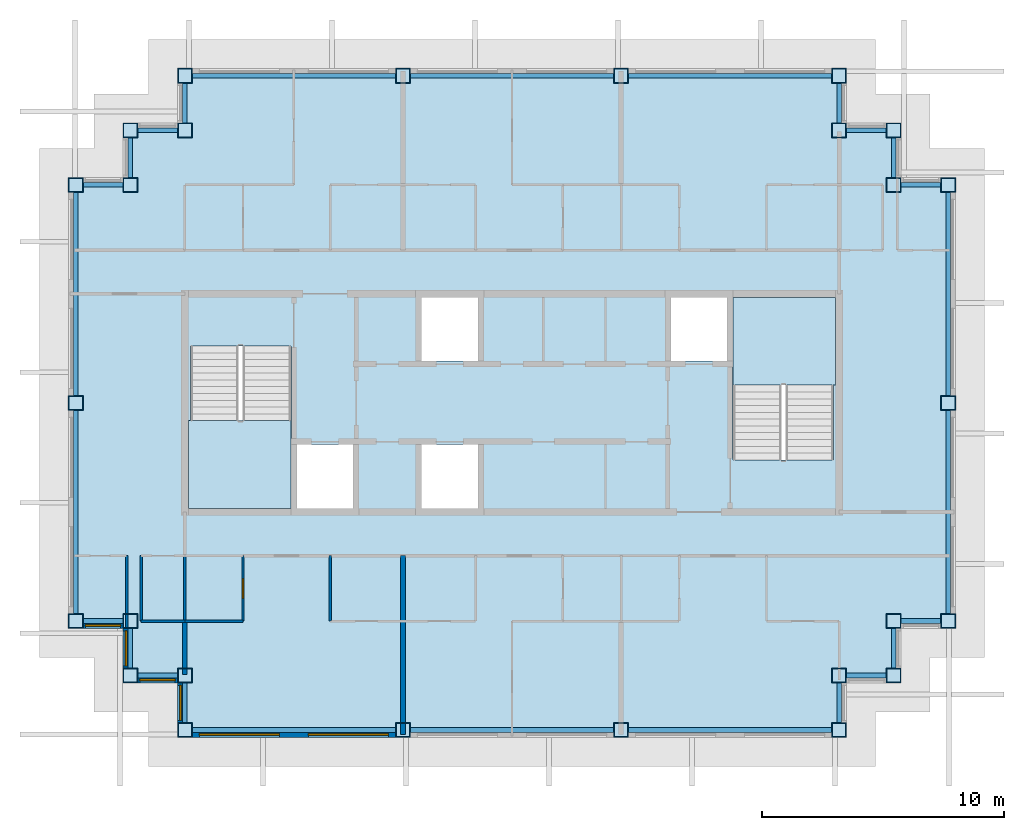
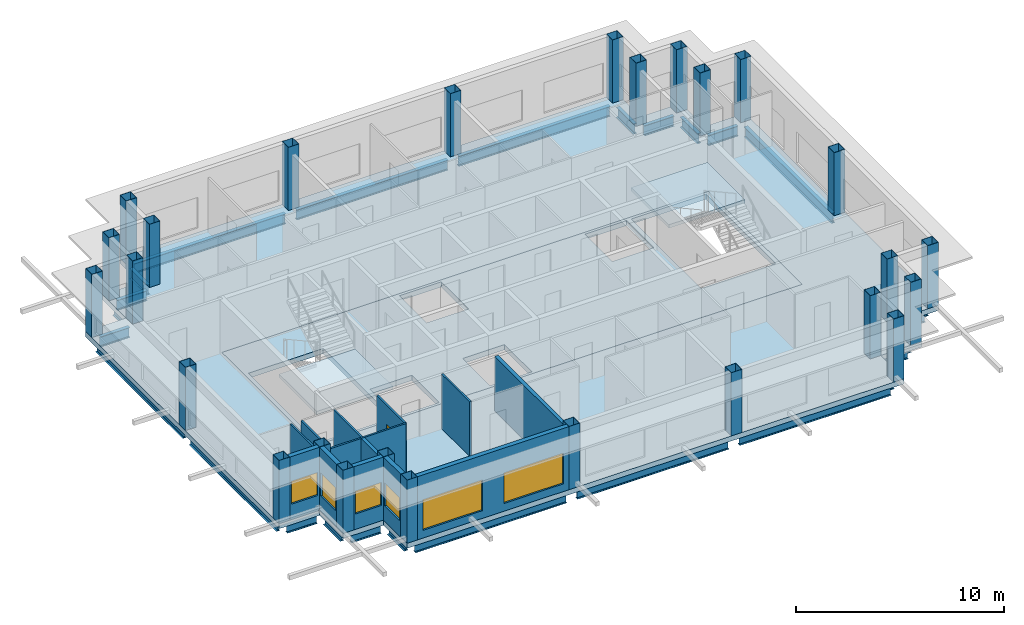
# One storey, part 1 of 11: 26 beams, 26 columns, 14 walls, 6 windows, 4 slabs, 1 door, 7 openings, 2 elements without a shape of their own.
"""IFC4 building model written with IfcOpenShell, lengths in metres."""

from ifc_helpers import new_model, si_unit, direction, frame, frame_2d, origin, origin_2d, place, context, subcontext, project, spatial, polyline, rectangle, hollow_rectangle, i_section, outline, extrude, material, layer, layer_set, material_profile, profile_set, type_object, element, fill, aggregate, save


model = new_model("IFC4")

# Units and contexts
model_context = context("Model", 3, precision=1e-05, world=origin(), true_north=direction((0.0, 1.0)))
body_context = subcontext(model_context, "Body", "Model", "MODEL_VIEW")
ifc_project = project(units=[si_unit("LENGTHUNIT", "METRE"), si_unit("AREAUNIT", "SQUARE_METRE"), si_unit("VOLUMEUNIT", "CUBIC_METRE"), si_unit("PLANEANGLEUNIT", "RADIAN"), si_unit("MASSUNIT", "GRAM", prefix="KILO")], contexts=[model_context])

# Site, building, storey
site_placement = place(None, origin())
site = spatial("IfcSite", under=ifc_project, at=site_placement, CompositionType="ELEMENT")
building_placement = place(site_placement, origin())
building = spatial("IfcBuilding", under=site, at=building_placement, Name="Caravel Reach Hotel and Residences", CompositionType="ELEMENT")
storey_placement = place(building_placement, frame((0.0, 0.0, 301.89990234375)))
storey = spatial("IfcBuildingStorey", under=building, at=storey_placement, Name="L77", CompositionType="ELEMENT", Elevation=301.89990234375)

# Columns
ifc_material_1 = material(Name="Concrete-filled steel tube Q390B with Concrete C60 infill", Category="concrete")
ifc_material_profile_1 = material_profile(ifc_material_1, hollow_rectangle(XDim=0.60009765625, YDim=0.60009765625, WallThickness=0.02001953125, at=origin_2d()), Name="RHS 600x600x20")
ifc_profile_set_1 = profile_set([ifc_material_profile_1], Name="Concrete-filled steel tube Q390B with Concrete C60 infill")
column_type = type_object("IfcColumnType", Name="CFT 600x600 Q390B C60", PredefinedType="COLUMN", material=ifc_profile_set_1)
for number, where, z_axis, x_axis, name in (
    (1, (45.0, 13.5, 0.0), (0.0, 0.0, 1.0), (1.0, 0.0, 0.0), "C8 column"),
    (2, (45.0, 15.75, 0.0), (0.0, 0.0, 1.0), (1.0, 0.0, 0.0), "C8 column"),
    (3, (47.25, 15.75, 0.0), (0.0, 0.0, 1.0), (1.0, 0.0, 0.0), "C8 column"),
    (4, (47.25, 18.0, 0.0), (0.0, 0.0, 1.0), (1.0, 0.0, 0.0), "C8 column"),
    (5, (49.5, 18.0, 0.0), (0.0, 0.0, 1.0), (1.0, 0.0, 0.0), "C8 column"),
    (6, (49.5, 27.0, 0.0), (0.0, 0.0, 1.0), (1.0, 0.0, 0.0), "C8 column"),
    (7, (49.5, 36.0, 0.0), (0.0, 0.0, 1.0), (1.0, 0.0, 0.0), "C8 column"),
    (8, (47.25, 36.0, 0.0), (0.0, 0.0, 1.0), (1.0, 0.0, 0.0), "C8 column"),
    (9, (47.25, 38.25, 0.0), (0.0, 0.0, 1.0), (1.0, 0.0, 0.0), "C8 column"),
    (10, (45.0, 38.25, 0.0), (0.0, 0.0, 1.0), (1.0, 0.0, 0.0), "C8 column"),
    (11, (45.0, 40.5, 0.0), (0.0, 0.0, 1.0), (1.0, 0.0, 0.0), "C8 column"),
    (12, (36.0, 40.5, 0.0), (0.0, 0.0, 1.0), (1.0, 0.0, 0.0), "C8 column"),
    (13, (27.0, 40.5, 0.0), (0.0, 0.0, 1.0), (1.0, 0.0, 0.0), "C8 column"),
    (14, (18.0, 40.5, 0.0), (0.0, 0.0, 1.0), (1.0, 0.0, 0.0), "C8 column"),
    (15, (18.0, 38.25, 0.0), (0.0, 0.0, 1.0), (1.0, 0.0, 0.0), "C8 column"),
    (16, (15.75, 38.25, 0.0), (0.0, 0.0, 1.0), (1.0, 0.0, 0.0), "C8 column"),
    (17, (15.75, 36.0, 0.0), (0.0, 0.0, 1.0), (1.0, 0.0, 0.0), "C8 column"),
    (18, (13.5, 36.0, 0.0), (0.0, 0.0, 1.0), (1.0, 0.0, 0.0), "C8 column"),
    (19, (13.5, 27.0, 0.0), (0.0, 0.0, 1.0), (1.0, 0.0, 0.0), "C8 column"),
    (20, (13.5, 18.0, 0.0), (0.0, 0.0, 1.0), (1.0, 0.0, 0.0), "C8 column"),
    (21, (15.75, 18.0, 0.0), (0.0, 0.0, 1.0), (1.0, 0.0, 0.0), "C8 column"),
    (22, (15.75, 15.75, 0.0), (0.0, 0.0, 1.0), (1.0, 0.0, 0.0), "C8 column"),
    (23, (18.0, 15.75, 0.0), (0.0, 0.0, 1.0), (1.0, 0.0, 0.0), "C8 column"),
    (24, (18.0, 13.5, 0.0), (0.0, 0.0, 1.0), (1.0, 0.0, 0.0), "C8 column"),
    (25, (27.0, 13.5, 0.0), (0.0, 0.0, 1.0), (1.0, 0.0, 0.0), "C8 column"),
    (26, (36.0, 13.5, 0.0), (0.0, 0.0, 1.0), (1.0, 0.0, 0.0), "C8 column"),
):
    element("IfcColumn", number, at=place(storey_placement, frame(where, z_axis=z_axis, x_axis=x_axis)), inside=storey, type_object=column_type, Name=name, PredefinedType="COLUMN", context=body_context, shape_type="SweptSolid", body=[
        extrude(hollow_rectangle(XDim=0.60009765625, YDim=0.60009765625, WallThickness=0.02001953125, at=origin_2d()), origin(), (0.0, 0.0, 1.0), 3.7001953125),
    ])

# Beams
ifc_material_2 = material(Name="Structural steel Q355B", Category="steel")
ifc_material_profile_2 = material_profile(ifc_material_2, i_section(OverallWidth=0.199951171875, OverallDepth=0.60009765625, WebThickness=0.010986328125, FlangeThickness=0.01708984375, FilletRadius=0.012939453125, at=origin_2d()), Name="HN 600x200x11x17")
ifc_profile_set_2 = profile_set([ifc_material_profile_2], Name="Structural steel Q355B")
beam_type = type_object("IfcBeamType", Name="Spandrel beam HN 600x200x11x17", PredefinedType="SPANDREL", material=ifc_profile_set_2)
for number, where, z_axis, x_axis, name in (
    (27, (45.0, 13.800048828125, -0.599853515625), (0.0, 1.0, 0.0), (-1.0, 0.0, 0.0), "SP1 HN 600x200x11x17"),
    (28, (45.300048828125, 15.75, -0.599853515625), (1.0, 0.0, 0.0), (0.0, 1.0, 0.0), "SP1 HN 600x200x11x17"),
    (29, (47.25, 16.050048828125, -0.599853515625), (0.0, 1.0, 0.0), (-1.0, 0.0, 0.0), "SP1 HN 600x200x11x17"),
    (30, (47.550048828125, 18.0, -0.599853515625), (1.0, 0.0, 0.0), (0.0, 1.0, 0.0), "SP1 HN 600x200x11x17"),
):
    element("IfcBeam", number, at=place(storey_placement, frame(where, z_axis=z_axis, x_axis=x_axis)), inside=storey, type_object=beam_type, Name=name, PredefinedType="SPANDREL", context=body_context, shape_type="SweptSolid", body=[
        extrude(i_section(OverallWidth=0.199951171875, OverallDepth=0.60009765625, WebThickness=0.010986328125, FlangeThickness=0.01708984375, FilletRadius=0.012939453125, at=origin_2d()), origin(), (0.0, 0.0, 1.0), 1.64990234375),
    ])
for number, where, z_axis, x_axis, name in (
    (31, (49.5, 18.300048828125, -0.599853515625), (0.0, 1.0, 0.0), (-1.0, 0.0, 0.0), "SP1 HN 600x200x11x17"),
    (32, (49.5, 27.300048828125, -0.599853515625), (0.0, 1.0, 0.0), (-1.0, 0.0, 0.0), "SP1 HN 600x200x11x17"),
):
    element("IfcBeam", number, at=place(storey_placement, frame(where, z_axis=z_axis, x_axis=x_axis)), inside=storey, type_object=beam_type, Name=name, PredefinedType="SPANDREL", context=body_context, shape_type="SweptSolid", body=[
        extrude(i_section(OverallWidth=0.199951171875, OverallDepth=0.60009765625, WebThickness=0.010986328125, FlangeThickness=0.01708984375, FilletRadius=0.012939453125, at=origin_2d()), origin(), (0.0, 0.0, 1.0), 8.39990234375),
    ])
for number, where, z_axis, x_axis, name in (
    (33, (49.199951171875, 36.0, -0.599853515625), (-1.0, 0.0, 0.0), (0.0, -1.0, 0.0), "SP1 HN 600x200x11x17"),
    (34, (47.25, 36.300048828125, -0.599853515625), (0.0, 1.0, 0.0), (-1.0, 0.0, 0.0), "SP1 HN 600x200x11x17"),
    (35, (46.949951171875, 38.25, -0.599853515625), (-1.0, 0.0, 0.0), (0.0, -1.0, 0.0), "SP1 HN 600x200x11x17"),
    (36, (45.0, 38.550048828125, -0.599853515625), (0.0, 1.0, 0.0), (-1.0, 0.0, 0.0), "SP1 HN 600x200x11x17"),
):
    element("IfcBeam", number, at=place(storey_placement, frame(where, z_axis=z_axis, x_axis=x_axis)), inside=storey, type_object=beam_type, Name=name, PredefinedType="SPANDREL", context=body_context, shape_type="SweptSolid", body=[
        extrude(i_section(OverallWidth=0.199951171875, OverallDepth=0.60009765625, WebThickness=0.010986328125, FlangeThickness=0.01708984375, FilletRadius=0.012939453125, at=origin_2d()), origin(), (0.0, 0.0, 1.0), 1.64990234375),
    ])
for number, where, z_axis, x_axis, name in (
    (37, (44.699951171875, 40.5, -0.599853515625), (-1.0, 0.0, 0.0), (0.0, -1.0, 0.0), "SP1 HN 600x200x11x17"),
    (38, (35.699951171875, 40.5, -0.599853515625), (-1.0, 0.0, 0.0), (0.0, -1.0, 0.0), "SP1 HN 600x200x11x17"),
    (39, (26.699951171875, 40.5, -0.599853515625), (-1.0, 0.0, 0.0), (0.0, -1.0, 0.0), "SP1 HN 600x200x11x17"),
):
    element("IfcBeam", number, at=place(storey_placement, frame(where, z_axis=z_axis, x_axis=x_axis)), inside=storey, type_object=beam_type, Name=name, PredefinedType="SPANDREL", context=body_context, shape_type="SweptSolid", body=[
        extrude(i_section(OverallWidth=0.199951171875, OverallDepth=0.60009765625, WebThickness=0.010986328125, FlangeThickness=0.01708984375, FilletRadius=0.012939453125, at=origin_2d()), origin(), (0.0, 0.0, 1.0), 8.39990234375),
    ])
for number, where, z_axis, x_axis, name in (
    (40, (18.0, 40.199951171875, -0.599853515625), (0.0, -1.0, 0.0), (1.0, 0.0, 0.0), "SP1 HN 600x200x11x17"),
    (41, (17.699951171875, 38.25, -0.599853515625), (-1.0, 0.0, 0.0), (0.0, -1.0, 0.0), "SP1 HN 600x200x11x17"),
    (42, (15.75, 37.949951171875, -0.599853515625), (0.0, -1.0, 0.0), (1.0, 0.0, 0.0), "SP1 HN 600x200x11x17"),
    (43, (15.449951171875, 36.0, -0.599853515625), (-1.0, 0.0, 0.0), (0.0, -1.0, 0.0), "SP1 HN 600x200x11x17"),
):
    element("IfcBeam", number, at=place(storey_placement, frame(where, z_axis=z_axis, x_axis=x_axis)), inside=storey, type_object=beam_type, Name=name, PredefinedType="SPANDREL", context=body_context, shape_type="SweptSolid", body=[
        extrude(i_section(OverallWidth=0.199951171875, OverallDepth=0.60009765625, WebThickness=0.010986328125, FlangeThickness=0.01708984375, FilletRadius=0.012939453125, at=origin_2d()), origin(), (0.0, 0.0, 1.0), 1.64990234375),
    ])
for number, where, z_axis, x_axis, name in (
    (44, (13.5, 35.699951171875, -0.599853515625), (0.0, -1.0, 0.0), (1.0, 0.0, 0.0), "SP1 HN 600x200x11x17"),
    (45, (13.5, 26.699951171875, -0.599853515625), (0.0, -1.0, 0.0), (1.0, 0.0, 0.0), "SP1 HN 600x200x11x17"),
):
    element("IfcBeam", number, at=place(storey_placement, frame(where, z_axis=z_axis, x_axis=x_axis)), inside=storey, type_object=beam_type, Name=name, PredefinedType="SPANDREL", context=body_context, shape_type="SweptSolid", body=[
        extrude(i_section(OverallWidth=0.199951171875, OverallDepth=0.60009765625, WebThickness=0.010986328125, FlangeThickness=0.01708984375, FilletRadius=0.012939453125, at=origin_2d()), origin(), (0.0, 0.0, 1.0), 8.39990234375),
    ])
for number, where, z_axis, x_axis, name in (
    (46, (13.800048828125, 18.0, -0.599853515625), (1.0, 0.0, 0.0), (0.0, 1.0, 0.0), "SP1 HN 600x200x11x17"),
    (47, (15.75, 17.699951171875, -0.599853515625), (0.0, -1.0, 0.0), (1.0, 0.0, 0.0), "SP1 HN 600x200x11x17"),
    (48, (16.050048828125, 15.75, -0.599853515625), (1.0, 0.0, 0.0), (0.0, 1.0, 0.0), "SP1 HN 600x200x11x17"),
    (49, (18.0, 15.449951171875, -0.599853515625), (0.0, -1.0, 0.0), (1.0, 0.0, 0.0), "SP1 HN 600x200x11x17"),
):
    element("IfcBeam", number, at=place(storey_placement, frame(where, z_axis=z_axis, x_axis=x_axis)), inside=storey, type_object=beam_type, Name=name, PredefinedType="SPANDREL", context=body_context, shape_type="SweptSolid", body=[
        extrude(i_section(OverallWidth=0.199951171875, OverallDepth=0.60009765625, WebThickness=0.010986328125, FlangeThickness=0.01708984375, FilletRadius=0.012939453125, at=origin_2d()), origin(), (0.0, 0.0, 1.0), 1.64990234375),
    ])
for number, where, z_axis, x_axis, name in (
    (50, (18.300048828125, 13.5, -0.599853515625), (1.0, 0.0, 0.0), (0.0, 1.0, 0.0), "SP1 HN 600x200x11x17"),
    (51, (27.300048828125, 13.5, -0.599853515625), (1.0, 0.0, 0.0), (0.0, 1.0, 0.0), "SP1 HN 600x200x11x17"),
    (52, (36.300048828125, 13.5, -0.599853515625), (1.0, 0.0, 0.0), (0.0, 1.0, 0.0), "SP1 HN 600x200x11x17"),
):
    element("IfcBeam", number, at=place(storey_placement, frame(where, z_axis=z_axis, x_axis=x_axis)), inside=storey, type_object=beam_type, Name=name, PredefinedType="SPANDREL", context=body_context, shape_type="SweptSolid", body=[
        extrude(i_section(OverallWidth=0.199951171875, OverallDepth=0.60009765625, WebThickness=0.010986328125, FlangeThickness=0.01708984375, FilletRadius=0.012939453125, at=origin_2d()), origin(), (0.0, 0.0, 1.0), 8.39990234375),
    ])

# Slab
ifc_material_3 = material(Name="Concrete C40", Category="concrete")
ifc_layer_1 = layer(ifc_material_3, 0.300048828125)
ifc_layer_set_1 = layer_set([ifc_layer_1], Name="Core floor slab 300 mm")
slab_type_1 = type_object("IfcSlabType", Name="Core floor slab 300 mm", PredefinedType="FLOOR", material=ifc_layer_set_1)
slab_1_placement = place(storey_placement, frame((0.0, 0.0, -0.2998046875)))
element("IfcSlab", 53, at=slab_1_placement, inside=storey, type_object=slab_type_1, Name="L77 core floor", PredefinedType="FLOOR", context=body_context, shape_type="SweptSolid", body=[
    extrude(outline(polyline([(18.0, 31.5), (45.0, 31.5), (45.0, 22.5), (18.0, 22.5), (18.0, 31.5)]), holes=[polyline([(22.625, 22.64990234375), (24.9462890625, 22.64990234375), (24.9462890625, 25.27490234375), (22.625, 25.27490234375), (22.625, 22.64990234375)]), polyline([(27.767822265625, 25.27490234375), (27.767822265625, 22.64990234375), (30.08935546875, 22.64990234375), (30.08935546875, 25.27490234375), (27.767822265625, 25.27490234375)]), polyline([(22.375, 22.64990234375), (22.375, 29.35009765625), (18.22509765625, 29.35009765625), (18.22509765625, 22.64990234375), (22.375, 22.64990234375)]), polyline([(40.625, 24.64990234375), (44.77490234375, 24.64990234375), (44.77490234375, 31.35009765625), (40.625, 31.35009765625), (40.625, 24.64990234375)]), polyline([(27.767822265625, 31.35009765625), (27.767822265625, 28.72509765625), (30.08935546875, 28.72509765625), (30.08935546875, 31.35009765625), (27.767822265625, 31.35009765625)]), polyline([(38.0537109375, 31.35009765625), (38.0537109375, 28.72509765625), (40.375, 28.72509765625), (40.375, 31.35009765625), (38.0537109375, 31.35009765625)])]), origin(), (0.0, 0.0, 1.0), 0.2998046875),
])

# Stair, slab
ifc_material_4 = material(Name="Concrete C40", Category="concrete")
stair_type = type_object("IfcStairType", Name="Core stair", PredefinedType="HALF_TURN_STAIR", material=ifc_material_4)
stair_1_placement = place(storey_placement, origin())
stair_1 = element("IfcStair", 54, at=stair_1_placement, inside=storey, type_object=stair_type, Name="L77 Exit stair A", PredefinedType="HALF_TURN_STAIR")
ifc_material_5 = material(Name="Concrete C40", Category="concrete")
ifc_layer_2 = layer(ifc_material_5, 0.199951171875)
ifc_layer_set_2 = layer_set([ifc_layer_2], Name="Core stair landing")
slab_type_2 = type_object("IfcSlabType", Name="Core stair landing", PredefinedType="LANDING", material=ifc_layer_set_2)
slab_2_placement = place(storey_placement, frame((0.0, 0.0, 1.650146484375)))
slab_2 = element("IfcSlab", 55, at=slab_2_placement, type_object=slab_type_2, Name="ST-A landing 1", PredefinedType="LANDING", context=body_context, shape_type="SweptSolid", body=[
    extrude(outline(polyline([(18.14990234375, 26.27001953125), (18.14990234375, 22.64990234375), (22.375, 22.64990234375), (22.375, 26.27001953125), (18.14990234375, 26.27001953125)])), origin(), (0.0, 0.0, 1.0), 0.199951171875),
])
aggregate(stair_1, [slab_2])

stair_2_placement = place(storey_placement, origin())
stair_2 = element("IfcStair", 56, at=stair_2_placement, inside=storey, type_object=stair_type, Name="L77 Exit stair B", PredefinedType="HALF_TURN_STAIR")
slab_3_placement = place(storey_placement, frame((0.0, 0.0, 1.650146484375)))
slab_3 = element("IfcSlab", 57, at=slab_3_placement, type_object=slab_type_2, Name="ST-B landing 1", PredefinedType="LANDING", context=body_context, shape_type="SweptSolid", body=[
    extrude(outline(polyline([(44.85009765625, 27.72998046875), (44.85009765625, 31.35009765625), (40.625, 31.35009765625), (40.625, 27.72998046875), (44.85009765625, 27.72998046875)])), origin(), (0.0, 0.0, 1.0), 0.199951171875),
])
aggregate(stair_2, [slab_3])

# Slab
ifc_material_6 = material(Name="Concrete C40 post-tensioned", Category="concrete")
ifc_layer_3 = layer(ifc_material_6, 0.300048828125)
ifc_layer_set_3 = layer_set([ifc_layer_3], Name="Floor slab 300")
slab_type_3 = type_object("IfcSlabType", Name="Floor slab 300", PredefinedType="FLOOR", material=ifc_layer_set_3)
slab_4_placement = place(storey_placement, frame((0.0, 0.0, -0.2998046875)))
element("IfcSlab", 58, at=slab_4_placement, inside=storey, type_object=slab_type_3, Name="S2 slab L77", PredefinedType="FLOOR", context=body_context, shape_type="SweptSolid", body=[
    extrude(outline(polyline([(17.699951171875, 15.449951171875), (15.449951171875, 15.449951171875), (15.449951171875, 17.699951171875), (13.199951171875, 17.699951171875), (13.199951171875, 36.300048828125), (15.449951171875, 36.300048828125), (15.449951171875, 38.550048828125), (17.699951171875, 38.550048828125), (17.699951171875, 40.800048828125), (45.300048828125, 40.800048828125), (45.300048828125, 38.550048828125), (47.550048828125, 38.550048828125), (47.550048828125, 36.300048828125), (49.800048828125, 36.300048828125), (49.800048828125, 17.699951171875), (47.550048828125, 17.699951171875), (47.550048828125, 15.449951171875), (45.300048828125, 15.449951171875), (45.300048828125, 13.199951171875), (17.699951171875, 13.199951171875), (17.699951171875, 15.449951171875)]), holes=[polyline([(45.0, 31.5), (18.0, 31.5), (18.0, 22.5), (45.0, 22.5), (45.0, 31.5)])]), origin(), (0.0, 0.0, 1.0), 0.2998046875),
])

# Walls
ifc_material_7 = material(Name="Gypsum board on steel stud", Category="steel")
ifc_layer_4 = layer(ifc_material_7, 0.10009765625)
ifc_layer_set_4 = layer_set([ifc_layer_4], Name="Bathroom pod wall 100 mm")
wall_type_1 = type_object("IfcWallType", Name="Bathroom pod wall 100 mm", PredefinedType="PARTITIONING", material=ifc_layer_set_4)
wall_1_placement = place(storey_placement, frame((18.0, 18.0, 0.0), z_axis=(0.0, 0.0, 1.0), x_axis=(1.0, 0.0, 0.0)))
element("IfcWall", 59, at=wall_1_placement, inside=storey, type_object=wall_type_1, Name="L77 wall w053", PredefinedType="PARTITIONING", context=body_context, shape_type="SweptSolid", body=[
    extrude(rectangle(XDim=2.39990234375, YDim=0.10009765625, at=frame_2d((1.199951171875, 0.0))), origin(), (0.0, 0.0, 1.0), 3.2001953125),
])
wall_2_placement = place(storey_placement, frame((15.60009765625, 17.699951171875, 0.0), z_axis=(0.0, 0.0, 1.0), x_axis=(0.0, 1.0, 0.0)))
element("IfcWall", 60, at=wall_2_placement, inside=storey, type_object=wall_type_1, Name="L77 wall w067", PredefinedType="PARTITIONING", context=body_context, shape_type="SweptSolid", body=[
    extrude(rectangle(XDim=3.0, YDim=0.10009765625, at=frame_2d((1.5, 0.0))), origin(), (0.0, 0.0, 1.0), 3.2001953125),
])
wall_3_placement = place(storey_placement, frame((18.0, 18.0, 0.0), z_axis=(0.0, 0.0, 1.0), x_axis=(0.0, 1.0, 0.0)))
element("IfcWall", 61, at=wall_3_placement, inside=storey, type_object=wall_type_1, Name="L77 wall w069", PredefinedType="PARTITIONING", context=body_context, shape_type="SweptSolid", body=[
    extrude(rectangle(XDim=2.699951171875, YDim=0.10009765625, at=frame_2d((1.35009765625, 0.0))), origin(), (0.0, 0.0, 1.0), 3.2001953125),
])

# Wall, opening, door
wall_4_placement = place(storey_placement, frame((20.39990234375, 18.0, 0.0), z_axis=(0.0, 0.0, 1.0), x_axis=(0.0, 1.0, 0.0)))
wall_4 = element("IfcWall", 62, at=wall_4_placement, inside=storey, type_object=wall_type_1, Name="L77 wall w071", PredefinedType="PARTITIONING", context=body_context, shape_type="SweptSolid", body=[
    extrude(rectangle(XDim=2.699951171875, YDim=0.10009765625, at=frame_2d((1.35009765625, 0.0))), origin(), (0.0, 0.0, 1.0), 3.2001953125),
])
opening_1_placement = place(wall_4_placement, frame((0.949951171875, 0.0, 0.0)))
opening_1 = element("IfcOpeningElement", 63, at=opening_1_placement, cuts=wall_4, Name="Opening D77-030", PredefinedType="OPENING", context=body_context, shape_type="SweptSolid", body=[
    extrude(rectangle(XDim=0.800048828125, YDim=2.10009765625, at=frame_2d((0.39990234375, 1.050048828125))), frame((0.0, 0.06005859375, 0.0), z_axis=(0.0, -1.0, 0.0), x_axis=(1.0, 0.0, 0.0)), (0.0, 0.0, 1.0), 0.1201171875),
])
ifc_material_8 = material(Name="Timber and steel door leaf", Category="steel")
door_type = type_object("IfcDoorType", Name="Bathroom door 800 x 2100", OperationType="SINGLE_SWING_LEFT", PredefinedType="DOOR", material=ifc_material_8)
door_placement = place(opening_1_placement, origin())
door = element("IfcDoor", 64, at=door_placement, inside=storey, type_object=door_type, Name="door D77-030", OperationType="SINGLE_SWING_RIGHT", OverallHeight=2.10009765625, OverallWidth=0.800048828125, PredefinedType="DOOR", context=body_context, shape_type="SweptSolid", body=[
    extrude(rectangle(XDim=0.800048828125, YDim=2.10009765625, at=frame_2d((0.39990234375, 1.050048828125))), frame((0.0, 0.02490234375, 0.0), z_axis=(0.0, -1.0, 0.0), x_axis=(1.0, 0.0, 0.0)), (0.0, 0.0, 1.0), 0.050048828125),
])
fill(opening_1, door)

# Wall, opening, window
ifc_material_9 = material(Name="Insulated rainscreen wall, aluminium cladding", Category="aluminium")
ifc_layer_5 = layer(ifc_material_9, 0.25)
ifc_layer_set_5 = layer_set([ifc_layer_5], Name="EW1 Tower rainscreen wall")
wall_type_2 = type_object("IfcWallType", Name="EW1 Tower rainscreen wall", PredefinedType="SOLIDWALL", material=ifc_layer_set_5)
wall_5_placement = place(storey_placement, frame((13.800048828125, 17.824951171875, 0.0), z_axis=(0.0, 0.0, 1.0), x_axis=(1.0, 0.0, 0.0)))
wall_5 = element("IfcWall", 65, at=wall_5_placement, inside=storey, type_object=wall_type_2, Name="External wall L77 S16.1", PredefinedType="SOLIDWALL", context=body_context, shape_type="SweptSolid", body=[
    extrude(rectangle(XDim=1.64990234375, YDim=0.25, at=frame_2d((0.824951171875, 0.0))), origin(), (0.0, 0.0, 1.0), 3.7001953125),
])
opening_2_placement = place(wall_5_placement, frame((0.10009765625, 0.0, 0.89990234375)))
opening_2 = element("IfcOpeningElement", 66, at=opening_2_placement, cuts=wall_5, Name="Opening WN27", PredefinedType="OPENING", context=body_context, shape_type="SweptSolid", body=[
    extrude(rectangle(XDim=1.449951171875, YDim=1.35009765625, at=frame_2d((0.72509765625, 0.675048828125))), frame((0.0, 0.135009765625, 0.0), z_axis=(0.0, -1.0, 0.0), x_axis=(1.0, 0.0, 0.0)), (0.0, 0.0, 1.0), 0.27001953125),
])
ifc_material_10 = material(Name="Dark low-e glazing in black aluminium frame", Category="aluminium")
window_type_1 = type_object("IfcWindowType", Name="Residence bedroom window 1450 x 1350", PartitioningType="SINGLE_PANEL", PredefinedType="WINDOW", material=ifc_material_10)
window_1_placement = place(opening_2_placement, origin())
window_1 = element("IfcWindow", 67, at=window_1_placement, inside=storey, type_object=window_type_1, Name="Window L77 S16.1.1", OverallHeight=1.35009765625, OverallWidth=1.449951171875, PartitioningType="SINGLE_PANEL", PredefinedType="WINDOW", context=body_context, shape_type="SweptSolid", body=[
    extrude(rectangle(XDim=1.449951171875, YDim=1.35009765625, at=frame_2d((0.72509765625, 0.675048828125))), frame((0.0, 0.030029296875, 0.0), z_axis=(0.0, -1.0, 0.0), x_axis=(1.0, 0.0, 0.0)), (0.0, 0.0, 1.0), 0.06005859375),
])
fill(opening_2, window_1)

wall_6_placement = place(storey_placement, frame((15.574951171875, 17.699951171875, 0.0), z_axis=(0.0, 0.0, 1.0), x_axis=(0.0, -1.0, 0.0)))
wall_6 = element("IfcWall", 68, at=wall_6_placement, inside=storey, type_object=wall_type_2, Name="External wall L77 W17.1", PredefinedType="SOLIDWALL", context=body_context, shape_type="SweptSolid", body=[
    extrude(rectangle(XDim=1.64990234375, YDim=0.25, at=frame_2d((0.824951171875, 0.0))), origin(), (0.0, 0.0, 1.0), 3.7001953125),
])
opening_3_placement = place(wall_6_placement, frame((0.10009765625, 0.0, 0.89990234375)))
opening_3 = element("IfcOpeningElement", 69, at=opening_3_placement, cuts=wall_6, Name="Opening WN27", PredefinedType="OPENING", context=body_context, shape_type="SweptSolid", body=[
    extrude(rectangle(XDim=1.449951171875, YDim=1.35009765625, at=frame_2d((0.72509765625, 0.675048828125))), frame((0.0, 0.135009765625, 0.0), z_axis=(0.0, -1.0, 0.0), x_axis=(1.0, 0.0, 0.0)), (0.0, 0.0, 1.0), 0.27001953125),
])
window_2_placement = place(opening_3_placement, origin())
window_2 = element("IfcWindow", 70, at=window_2_placement, inside=storey, type_object=window_type_1, Name="Window L77 W17.1.1", OverallHeight=1.35009765625, OverallWidth=1.449951171875, PartitioningType="SINGLE_PANEL", PredefinedType="WINDOW", context=body_context, shape_type="SweptSolid", body=[
    extrude(rectangle(XDim=1.449951171875, YDim=1.35009765625, at=frame_2d((0.72509765625, 0.675048828125))), frame((0.0, 0.030029296875, 0.0), z_axis=(0.0, -1.0, 0.0), x_axis=(1.0, 0.0, 0.0)), (0.0, 0.0, 1.0), 0.06005859375),
])
fill(opening_3, window_2)

wall_7_placement = place(storey_placement, frame((16.050048828125, 15.574951171875, 0.0), z_axis=(0.0, 0.0, 1.0), x_axis=(1.0, 0.0, 0.0)))
wall_7 = element("IfcWall", 71, at=wall_7_placement, inside=storey, type_object=wall_type_2, Name="External wall L77 S18.1", PredefinedType="SOLIDWALL", context=body_context, shape_type="SweptSolid", body=[
    extrude(rectangle(XDim=1.64990234375, YDim=0.25, at=frame_2d((0.824951171875, 0.0))), origin(), (0.0, 0.0, 1.0), 3.7001953125),
])
opening_4_placement = place(wall_7_placement, frame((0.10009765625, 0.0, 0.89990234375)))
opening_4 = element("IfcOpeningElement", 72, at=opening_4_placement, cuts=wall_7, Name="Opening WN27", PredefinedType="OPENING", context=body_context, shape_type="SweptSolid", body=[
    extrude(rectangle(XDim=1.449951171875, YDim=1.35009765625, at=frame_2d((0.72509765625, 0.675048828125))), frame((0.0, 0.135009765625, 0.0), z_axis=(0.0, -1.0, 0.0), x_axis=(1.0, 0.0, 0.0)), (0.0, 0.0, 1.0), 0.27001953125),
])
window_3_placement = place(opening_4_placement, origin())
window_3 = element("IfcWindow", 73, at=window_3_placement, inside=storey, type_object=window_type_1, Name="Window L77 S18.1.1", OverallHeight=1.35009765625, OverallWidth=1.449951171875, PartitioningType="SINGLE_PANEL", PredefinedType="WINDOW", context=body_context, shape_type="SweptSolid", body=[
    extrude(rectangle(XDim=1.449951171875, YDim=1.35009765625, at=frame_2d((0.72509765625, 0.675048828125))), frame((0.0, 0.030029296875, 0.0), z_axis=(0.0, -1.0, 0.0), x_axis=(1.0, 0.0, 0.0)), (0.0, 0.0, 1.0), 0.06005859375),
])
fill(opening_4, window_3)

wall_8_placement = place(storey_placement, frame((17.824951171875, 15.449951171875, 0.0), z_axis=(0.0, 0.0, 1.0), x_axis=(0.0, -1.0, 0.0)))
wall_8 = element("IfcWall", 74, at=wall_8_placement, inside=storey, type_object=wall_type_2, Name="External wall L77 W19.1", PredefinedType="SOLIDWALL", context=body_context, shape_type="SweptSolid", body=[
    extrude(rectangle(XDim=1.64990234375, YDim=0.25, at=frame_2d((0.824951171875, 0.0))), origin(), (0.0, 0.0, 1.0), 3.7001953125),
])
opening_5_placement = place(wall_8_placement, frame((0.10009765625, 0.0, 0.89990234375)))
opening_5 = element("IfcOpeningElement", 75, at=opening_5_placement, cuts=wall_8, Name="Opening WN27", PredefinedType="OPENING", context=body_context, shape_type="SweptSolid", body=[
    extrude(rectangle(XDim=1.449951171875, YDim=1.35009765625, at=frame_2d((0.72509765625, 0.675048828125))), frame((0.0, 0.135009765625, 0.0), z_axis=(0.0, -1.0, 0.0), x_axis=(1.0, 0.0, 0.0)), (0.0, 0.0, 1.0), 0.27001953125),
])
window_4_placement = place(opening_5_placement, origin())
window_4 = element("IfcWindow", 76, at=window_4_placement, inside=storey, type_object=window_type_1, Name="Window L77 W19.1.1", OverallHeight=1.35009765625, OverallWidth=1.449951171875, PartitioningType="SINGLE_PANEL", PredefinedType="WINDOW", context=body_context, shape_type="SweptSolid", body=[
    extrude(rectangle(XDim=1.449951171875, YDim=1.35009765625, at=frame_2d((0.72509765625, 0.675048828125))), frame((0.0, 0.030029296875, 0.0), z_axis=(0.0, -1.0, 0.0), x_axis=(1.0, 0.0, 0.0)), (0.0, 0.0, 1.0), 0.06005859375),
])
fill(opening_5, window_4)

# Wall, openings, windows
wall_9_placement = place(storey_placement, frame((18.300048828125, 13.324951171875, 0.0), z_axis=(0.0, 0.0, 1.0), x_axis=(1.0, 0.0, 0.0)))
wall_9 = element("IfcWall", 77, at=wall_9_placement, inside=storey, type_object=wall_type_2, Name="External wall L77 S20.1", PredefinedType="SOLIDWALL", context=body_context, shape_type="SweptSolid", body=[
    extrude(rectangle(XDim=8.39990234375, YDim=0.25, at=frame_2d((4.199951171875, 0.0))), origin(), (0.0, 0.0, 1.0), 3.7001953125),
])
opening_6_placement = place(wall_9_placement, frame((0.300048828125, 0.0, 0.449951171875)))
opening_6 = element("IfcOpeningElement", 78, at=opening_6_placement, cuts=wall_9, Name="Opening WN28", PredefinedType="OPENING", context=body_context, shape_type="SweptSolid", body=[
    extrude(rectangle(XDim=3.300048828125, YDim=1.800048828125, at=frame_2d((1.64990234375, 0.89990234375))), frame((0.0, 0.135009765625, 0.0), z_axis=(0.0, -1.0, 0.0), x_axis=(1.0, 0.0, 0.0)), (0.0, 0.0, 1.0), 0.27001953125),
])
opening_7_placement = place(wall_9_placement, frame((4.800048828125, 0.0, 0.449951171875)))
opening_7 = element("IfcOpeningElement", 79, at=opening_7_placement, cuts=wall_9, Name="Opening WN28", PredefinedType="OPENING", context=body_context, shape_type="SweptSolid", body=[
    extrude(rectangle(XDim=3.300048828125, YDim=1.800048828125, at=frame_2d((1.64990234375, 0.89990234375))), frame((0.0, 0.135009765625, 0.0), z_axis=(0.0, -1.0, 0.0), x_axis=(1.0, 0.0, 0.0)), (0.0, 0.0, 1.0), 0.27001953125),
])
ifc_material_11 = material(Name="Dark low-e glazing in black aluminium frame", Category="aluminium")
window_type_2 = type_object("IfcWindowType", Name="Residence living window 3300 x 1800", PartitioningType="SINGLE_PANEL", PredefinedType="WINDOW", material=ifc_material_11)
window_5_placement = place(opening_6_placement, origin())
window_5 = element("IfcWindow", 80, at=window_5_placement, inside=storey, type_object=window_type_2, Name="Window L77 S20.1.1", OverallHeight=1.800048828125, OverallWidth=3.300048828125, PartitioningType="SINGLE_PANEL", PredefinedType="WINDOW", context=body_context, shape_type="SweptSolid", body=[
    extrude(rectangle(XDim=3.300048828125, YDim=1.800048828125, at=frame_2d((1.64990234375, 0.89990234375))), frame((0.0, 0.030029296875, 0.0), z_axis=(0.0, -1.0, 0.0), x_axis=(1.0, 0.0, 0.0)), (0.0, 0.0, 1.0), 0.06005859375),
])
fill(opening_6, window_5)
window_6_placement = place(opening_7_placement, origin())
window_6 = element("IfcWindow", 81, at=window_6_placement, inside=storey, type_object=window_type_2, Name="Window L77 S20.1.2", OverallHeight=1.800048828125, OverallWidth=3.300048828125, PartitioningType="SINGLE_PANEL", PredefinedType="WINDOW", context=body_context, shape_type="SweptSolid", body=[
    extrude(rectangle(XDim=3.300048828125, YDim=1.800048828125, at=frame_2d((1.64990234375, 0.89990234375))), frame((0.0, 0.030029296875, 0.0), z_axis=(0.0, -1.0, 0.0), x_axis=(1.0, 0.0, 0.0)), (0.0, 0.0, 1.0), 0.06005859375),
])
fill(opening_7, window_6)

# Walls
ifc_material_12 = material(Name="Gypsum board on steel stud", Category="steel")
ifc_layer_6 = layer(ifc_material_12, 0.10009765625)
ifc_layer_set_6 = layer_set([ifc_layer_6], Name="Partition 100 mm")
wall_type_3 = type_object("IfcWallType", Name="Partition 100 mm", PredefinedType="PARTITIONING", material=ifc_layer_set_6)
wall_10_placement = place(storey_placement, frame((16.199951171875, 18.0, 0.0), z_axis=(0.0, 0.0, 1.0), x_axis=(1.0, 0.0, 0.0)))
element("IfcWall", 82, at=wall_10_placement, inside=storey, type_object=wall_type_3, Name="L77 wall w023", PredefinedType="PARTITIONING", context=body_context, shape_type="SweptSolid", body=[
    extrude(rectangle(XDim=1.800048828125, YDim=0.10009765625, at=frame_2d((0.89990234375, 0.0))), origin(), (0.0, 0.0, 1.0), 3.2001953125),
])
for number, where, z_axis, x_axis, name in (
    (83, (16.199951171875, 18.0, 0.0), (0.0, 0.0, 1.0), (0.0, 1.0, 0.0), "L77 wall w032"),
    (84, (24.0, 18.0, 0.0), (0.0, 0.0, 1.0), (0.0, 1.0, 0.0), "L77 wall w035"),
):
    element("IfcWall", number, at=place(storey_placement, frame(where, z_axis=z_axis, x_axis=x_axis)), inside=storey, type_object=wall_type_3, Name=name, PredefinedType="PARTITIONING", context=body_context, shape_type="SweptSolid", body=[
        extrude(rectangle(XDim=2.699951171875, YDim=0.10009765625, at=frame_2d((1.35009765625, 0.0))), origin(), (0.0, 0.0, 1.0), 3.2001953125),
    ])
ifc_material_13 = material(Name="Autoclaved aerated block wall")
ifc_layer_7 = layer(ifc_material_13, 0.199951171875)
ifc_layer_set_7 = layer_set([ifc_layer_7], Name="Party wall 200 mm EI 60")
wall_type_4 = type_object("IfcWallType", Name="Party wall 200 mm EI 60", PredefinedType="PARTITIONING", material=ifc_layer_set_7)
wall_11_placement = place(storey_placement, frame((18.0, 15.800048828125, 0.0), z_axis=(0.0, 0.0, 1.0), x_axis=(0.0, 1.0, 0.0)))
element("IfcWall", 85, at=wall_11_placement, inside=storey, type_object=wall_type_4, Name="L77 wall w044", PredefinedType="PARTITIONING", context=body_context, shape_type="SweptSolid", body=[
    extrude(rectangle(XDim=2.199951171875, YDim=0.199951171875, at=frame_2d((1.10009765625, 0.0))), origin(), (0.0, 0.0, 1.0), 3.2001953125),
])
wall_12_placement = place(storey_placement, frame((27.0, 13.31005859375, 0.0), z_axis=(0.0, 0.0, 1.0), x_axis=(0.0, 1.0, 0.0)))
element("IfcWall", 86, at=wall_12_placement, inside=storey, type_object=wall_type_4, Name="L77 wall w047", PredefinedType="PARTITIONING", context=body_context, shape_type="SweptSolid", body=[
    extrude(rectangle(XDim=7.389892578125, YDim=0.199951171875, at=frame_2d((3.69482421875, 0.0))), origin(), (0.0, 0.0, 1.0), 3.2001953125),
])

save(model, "model.ifc")
